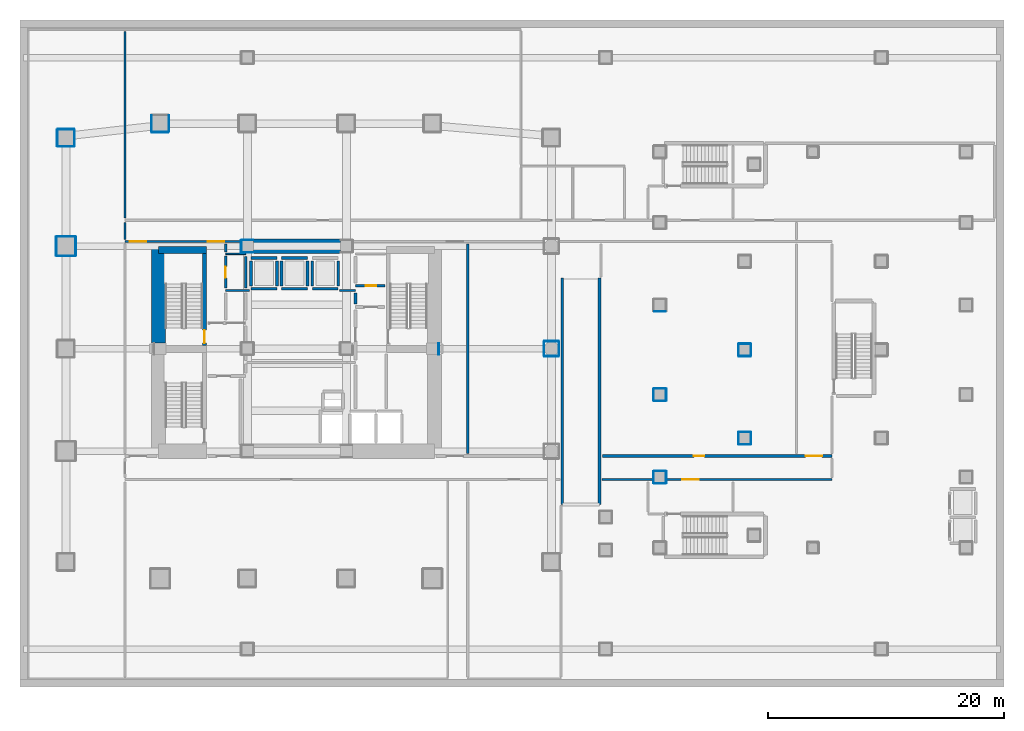
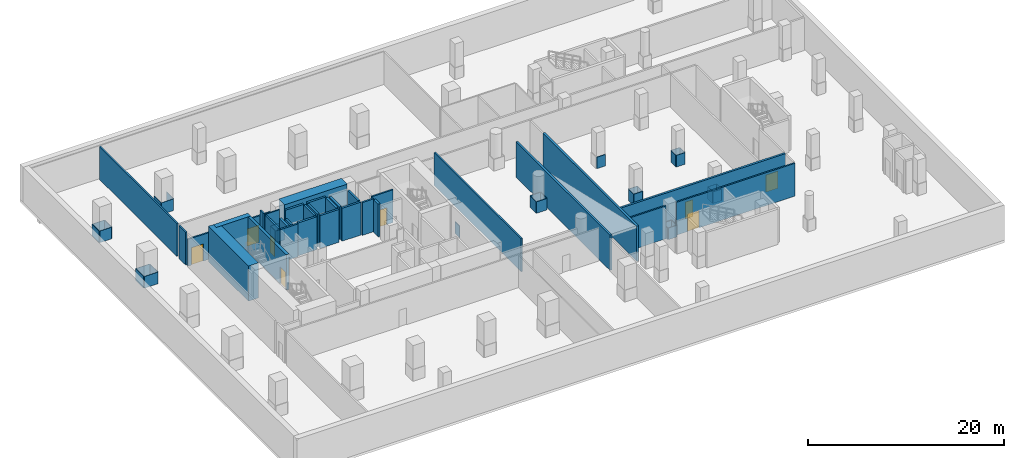
# One storey, part 6 of 15: 68 walls, 8 doors, 8 openings.
"""IFC4 building model written with IfcOpenShell, lengths in metres."""

from ifc_helpers import new_model, si_unit, direction, frame, frame_2d, origin, place, context, subcontext, project, spatial, rectangle, extrude, material, layer, layer_set, type_object, element, fill, save


model = new_model("IFC4")

# Units and contexts
model_context = context("Model", 3, precision=1e-05, world=origin(), true_north=direction((0.0, 1.0)))
body_context = subcontext(model_context, "Body", "Model", "MODEL_VIEW")
ifc_project = project(units=[si_unit("LENGTHUNIT", "METRE"), si_unit("AREAUNIT", "SQUARE_METRE"), si_unit("VOLUMEUNIT", "CUBIC_METRE"), si_unit("PLANEANGLEUNIT", "RADIAN"), si_unit("MASSUNIT", "GRAM", prefix="KILO")], contexts=[model_context])

# Site, building, storey
site_placement = place(None, origin())
site = spatial("IfcSite", under=ifc_project, at=site_placement, CompositionType="ELEMENT")
building_placement = place(site_placement, origin())
building = spatial("IfcBuilding", under=site, at=building_placement, Name="Solanera Arch Residences", CompositionType="ELEMENT")
storey_placement = place(building_placement, frame((0.0, 0.0, -8.800048828125)))
storey = spatial("IfcBuildingStorey", under=building, at=storey_placement, Name="B02", CompositionType="ELEMENT", Elevation=-8.800048828125)

# Walls
ifc_material_1 = material(Name="Fire-Rated Gypsum Stud Partition", Category="gypsum")
ifc_layer_1 = layer(ifc_material_1, 0.06005859375)
ifc_layer_set_1 = layer_set([ifc_layer_1], Name="Fire-Rated Gypsum Stud Partition")
wall_type_1 = type_object("IfcWallType", Name="Column Acoustic Furring Wall 60", PredefinedType="PARTITIONING", material=ifc_layer_set_1)
for number, where, z_axis, x_axis, name in (
    (1, (20.300048828125, 38.867919921875, 0.0), (0.0, 0.0, 1.0), (1.0, 0.0, 0.0), "B02 Column Furring 3S"),
    (2, (20.300048828125, 39.931884765625, 0.0), (0.0, 0.0, 1.0), (1.0, 0.0, 0.0), "B02 Column Furring 3N"),
):
    element("IfcWall", number, at=place(storey_placement, frame(where, z_axis=z_axis, x_axis=x_axis)), inside=storey, type_object=wall_type_1, Name=name, PredefinedType="PARTITIONING", context=body_context, shape_type="SweptSolid", body=[
        extrude(rectangle(XDim=0.989990234375, YDim=0.06005859375, at=frame_2d((0.4951171875, 0.0))), origin(), (0.0, 0.0, 1.0), 1.449951171875),
    ])
wall_1_placement = place(storey_placement, frame((20.26806640625, 38.89990234375, 0.0), z_axis=(0.0, 0.0, 1.0), x_axis=(0.0, 1.0, 0.0)))
element("IfcWall", 3, at=wall_1_placement, inside=storey, type_object=wall_type_1, Name="B02 Column Furring 3W", PredefinedType="PARTITIONING", context=body_context, shape_type="SweptSolid", body=[
    extrude(rectangle(XDim=1.0, YDim=0.06005859375, at=frame_2d((0.5, 0.0))), origin(), (0.0, 0.0, 1.0), 1.449951171875),
])
wall_2_placement = place(storey_placement, frame((37.031982421875, 30.2099609375, 0.0), z_axis=(0.0, 0.0, 1.0), x_axis=(0.0, 1.0, 0.0)))
element("IfcWall", 4, at=wall_2_placement, inside=storey, type_object=wall_type_1, Name="B02 Column Furring 6E", PredefinedType="PARTITIONING", context=body_context, shape_type="SweptSolid", body=[
    extrude(rectangle(XDim=0.97998046875, YDim=0.06005859375, at=frame_2d((0.489990234375, 0.0))), origin(), (0.0, 0.0, 1.0), 1.449951171875),
])
wall_3_placement = place(storey_placement, frame((12.699951171875, 49.068115234375, 0.0), z_axis=(0.0, 0.0, 1.0), x_axis=(1.0, 0.0, 0.0)))
element("IfcWall", 5, at=wall_3_placement, inside=storey, type_object=wall_type_1, Name="B02 Column Furring 11S", PredefinedType="PARTITIONING", context=body_context, shape_type="SweptSolid", body=[
    extrude(rectangle(XDim=1.400146484375, YDim=0.06005859375, at=frame_2d((0.7001953125, 0.0))), origin(), (0.0, 0.0, 1.0), 1.449951171875),
])
for number, where, z_axis, x_axis, name in (
    (6, (12.66796875, 49.10009765625, 0.0), (0.0, 0.0, 1.0), (0.0, 1.0, 0.0), "B02 Column Furring 11W"),
    (7, (14.132080078125, 49.10009765625, 0.0), (0.0, 0.0, 1.0), (0.0, 1.0, 0.0), "B02 Column Furring 11E"),
):
    element("IfcWall", number, at=place(storey_placement, frame(where, z_axis=z_axis, x_axis=x_axis)), inside=storey, type_object=wall_type_1, Name=name, PredefinedType="PARTITIONING", context=body_context, shape_type="SweptSolid", body=[
        extrude(rectangle(XDim=1.39990234375, YDim=0.06005859375, at=frame_2d((0.699951171875, 0.0))), origin(), (0.0, 0.0, 1.0), 1.449951171875),
    ])
for number, where, z_axis, x_axis, name in (
    (8, (4.60009765625, 38.568115234375, 0.0), (0.0, 0.0, 1.0), (1.0, 0.0, 0.0), "B02 Column Furring 17S"),
    (9, (4.60009765625, 40.23193359375, 0.0), (0.0, 0.0, 1.0), (1.0, 0.0, 0.0), "B02 Column Furring 17N"),
    (10, (4.568115234375, 38.60009765625, 0.0), (0.0, 0.0, 1.0), (0.0, 1.0, 0.0), "B02 Column Furring 17W"),
    (11, (6.23193359375, 38.60009765625, 0.0), (0.0, 0.0, 1.0), (0.0, 1.0, 0.0), "B02 Column Furring 17E"),
):
    element("IfcWall", number, at=place(storey_placement, frame(where, z_axis=z_axis, x_axis=x_axis)), inside=storey, type_object=wall_type_1, Name=name, PredefinedType="PARTITIONING", context=body_context, shape_type="SweptSolid", body=[
        extrude(rectangle(XDim=1.599853515625, YDim=0.06005859375, at=frame_2d((0.7998046875, 0.0))), origin(), (0.0, 0.0, 1.0), 1.449951171875),
    ])
for number, where, z_axis, x_axis, name in (
    (12, (46.0, 30.068115234375, 0.0), (0.0, 0.0, 1.0), (1.0, 0.0, 0.0), "B02 Column Furring 19S"),
    (13, (46.0, 31.33203125, 0.0), (0.0, 0.0, 1.0), (1.0, 0.0, 0.0), "B02 Column Furring 19N"),
    (14, (45.968017578125, 30.10009765625, 0.0), (0.0, 0.0, 1.0), (0.0, 1.0, 0.0), "B02 Column Furring 19W"),
    (15, (47.23193359375, 30.10009765625, 0.0), (0.0, 0.0, 1.0), (0.0, 1.0, 0.0), "B02 Column Furring 19E"),
):
    element("IfcWall", number, at=place(storey_placement, frame(where, z_axis=z_axis, x_axis=x_axis)), inside=storey, type_object=wall_type_1, Name=name, PredefinedType="PARTITIONING", context=body_context, shape_type="SweptSolid", body=[
        extrude(rectangle(XDim=1.199951171875, YDim=0.06005859375, at=frame_2d((0.60009765625, 0.0))), origin(), (0.0, 0.0, 1.0), 1.449951171875),
    ])
for number, where, z_axis, x_axis, name in (
    (16, (4.699951171875, 47.867919921875, 0.0), (0.0, 0.0, 1.0), (1.0, 0.0, 0.0), "B02 Column Furring 23S"),
    (17, (4.699951171875, 49.33203125, 0.0), (0.0, 0.0, 1.0), (1.0, 0.0, 0.0), "B02 Column Furring 23N"),
    (18, (4.66796875, 47.89990234375, 0.0), (0.0, 0.0, 1.0), (0.0, 1.0, 0.0), "B02 Column Furring 23W"),
    (19, (6.132080078125, 47.89990234375, 0.0), (0.0, 0.0, 1.0), (0.0, 1.0, 0.0), "B02 Column Furring 23E"),
):
    element("IfcWall", number, at=place(storey_placement, frame(where, z_axis=z_axis, x_axis=x_axis)), inside=storey, type_object=wall_type_1, Name=name, PredefinedType="PARTITIONING", context=body_context, shape_type="SweptSolid", body=[
        extrude(rectangle(XDim=1.400146484375, YDim=0.06005859375, at=frame_2d((0.7001953125, 0.0))), origin(), (0.0, 0.0, 1.0), 1.449951171875),
    ])
for number, where, z_axis, x_axis, name in (
    (20, (62.5, 22.568115234375, 0.0), (0.0, 0.0, 1.0), (1.0, 0.0, 0.0), "B02 Column Furring 27S"),
    (21, (62.5, 23.632080078125, 0.0), (0.0, 0.0, 1.0), (1.0, 0.0, 0.0), "B02 Column Furring 27N"),
    (22, (62.468017578125, 22.60009765625, 0.0), (0.0, 0.0, 1.0), (0.0, 1.0, 0.0), "B02 Column Furring 27W"),
    (23, (63.531982421875, 22.60009765625, 0.0), (0.0, 0.0, 1.0), (0.0, 1.0, 0.0), "B02 Column Furring 27E"),
    (24, (62.5, 30.068115234375, 0.0), (0.0, 0.0, 1.0), (1.0, 0.0, 0.0), "B02 Column Furring 29S"),
    (25, (62.5, 31.132080078125, 0.0), (0.0, 0.0, 1.0), (1.0, 0.0, 0.0), "B02 Column Furring 29N"),
    (26, (62.468017578125, 30.10009765625, 0.0), (0.0, 0.0, 1.0), (0.0, 1.0, 0.0), "B02 Column Furring 29W"),
    (27, (63.531982421875, 30.10009765625, 0.0), (0.0, 0.0, 1.0), (0.0, 1.0, 0.0), "B02 Column Furring 29E"),
    (28, (55.300048828125, 19.26806640625, 0.0), (0.0, 0.0, 1.0), (1.0, 0.0, 0.0), "B02 Column Furring 44S"),
    (29, (55.300048828125, 20.33203125, 0.0), (0.0, 0.0, 1.0), (1.0, 0.0, 0.0), "B02 Column Furring 44N"),
    (30, (55.26806640625, 19.300048828125, 0.0), (0.0, 0.0, 1.0), (0.0, 1.0, 0.0), "B02 Column Furring 44W"),
    (31, (56.33203125, 19.300048828125, 0.0), (0.0, 0.0, 1.0), (0.0, 1.0, 0.0), "B02 Column Furring 44E"),
    (32, (55.300048828125, 26.26806640625, 0.0), (0.0, 0.0, 1.0), (1.0, 0.0, 0.0), "B02 Column Furring 45S"),
    (33, (55.300048828125, 27.33203125, 0.0), (0.0, 0.0, 1.0), (1.0, 0.0, 0.0), "B02 Column Furring 45N"),
    (34, (55.26806640625, 26.300048828125, 0.0), (0.0, 0.0, 1.0), (0.0, 1.0, 0.0), "B02 Column Furring 45W"),
    (35, (56.33203125, 26.300048828125, 0.0), (0.0, 0.0, 1.0), (0.0, 1.0, 0.0), "B02 Column Furring 45E"),
    (36, (55.300048828125, 33.867919921875, 0.0), (0.0, 0.0, 1.0), (1.0, 0.0, 0.0), "B02 Column Furring 46S"),
):
    element("IfcWall", number, at=place(storey_placement, frame(where, z_axis=z_axis, x_axis=x_axis)), inside=storey, type_object=wall_type_1, Name=name, PredefinedType="PARTITIONING", context=body_context, shape_type="SweptSolid", body=[
        extrude(rectangle(XDim=1.0, YDim=0.06005859375, at=frame_2d((0.5, 0.0))), origin(), (0.0, 0.0, 1.0), 1.449951171875),
    ])
ifc_material_2 = material(Name="Concrete C55/67 (f'c = 60 MPa)", Category="concrete")
ifc_layer_2 = layer(ifc_material_2, 1.199951171875)
ifc_layer_set_2 = layer_set([ifc_layer_2], Name="Concrete C55/67 (f'c = 60 MPa)")
wall_type_2 = type_object("IfcWallType", Name="Core Shear Wall CW-1200", PredefinedType="SHEAR", material=ifc_layer_set_2)
wall_4_placement = place(storey_placement, frame((13.239990234375, 31.205078125, 0.0), z_axis=(0.0, 0.0, 1.0), x_axis=(0.0, 1.0, 0.0)))
element("IfcWall", 37, at=wall_4_placement, inside=storey, type_object=wall_type_2, Name="B02 West Core North Shear Wall", PredefinedType="SHEAR", context=body_context, shape_type="SweptSolid", body=[
    extrude(rectangle(XDim=8.19482421875, YDim=1.199951171875, at=frame_2d((4.097412109375, 0.0))), origin(), (0.0, 0.0, 1.0), 4.400146484375),
])
wall_5_placement = place(storey_placement, frame((21.304931640625, 39.39990234375, 0.0), z_axis=(0.0, 0.0, 1.0), x_axis=(1.0, 0.0, 0.0)))
element("IfcWall", 38, at=wall_5_placement, inside=storey, type_object=wall_type_2, Name="B02 Central North Core Shear Wall", PredefinedType="SHEAR", context=body_context, shape_type="SweptSolid", body=[
    extrude(rectangle(XDim=7.39013671875, YDim=1.199951171875, at=frame_2d((3.695068359375, 0.0))), origin(), (0.0, 0.0, 1.0), 4.400146484375),
])

# Wall, opening, door
ifc_material_3 = material(Name="Concrete C40/50 (f'c = 45 MPa)", Category="concrete")
ifc_layer_3 = layer(ifc_material_3, 0.320068359375)
ifc_layer_set_3 = layer_set([ifc_layer_3], Name="Concrete C40/50 (f'c = 45 MPa)")
wall_type_3 = type_object("IfcWallType", Name="Core Shear Wall CW-320", PredefinedType="SHEAR", material=ifc_layer_set_3)
wall_6_placement = place(storey_placement, frame((17.159912109375, 31.0, 0.0), z_axis=(0.0, 0.0, 1.0), x_axis=(0.0, 1.0, 0.0)))
wall_6 = element("IfcWall", 39, at=wall_6_placement, inside=storey, type_object=wall_type_3, Name="B02 Stair ST-T1 East Shear Wall", PredefinedType="SHEAR", context=body_context, shape_type="SweptSolid", body=[
    extrude(rectangle(XDim=7.800048828125, YDim=0.320068359375, at=frame_2d((3.89990234375, 0.0))), origin(), (0.0, 0.0, 1.0), 4.400146484375),
])
opening_1_placement = place(wall_6_placement, frame((0.18994140625, 0.0, 0.0)))
opening_1 = element("IfcOpeningElement", 40, at=opening_1_placement, cuts=wall_6, Name="Opening DF-01", PredefinedType="OPENING", context=body_context, shape_type="SweptSolid", body=[
    extrude(rectangle(XDim=1.10009765625, YDim=2.14990234375, at=frame_2d((0.550048828125, 1.074951171875))), frame((0.0, 0.169921875, 0.0), z_axis=(0.0, -1.0, 0.0), x_axis=(1.0, 0.0, 0.0)), (0.0, 0.0, 1.0), 0.3401),
])
ifc_material_4 = material(Name="Fire-Rated Architectural Hardwood", Category="wood")
door_type_1 = type_object("IfcDoorType", Name="Stair Exit Fire Door DF-01", OperationType="NOTDEFINED", PredefinedType="DOOR", material=ifc_material_4)
door_1_placement = place(opening_1_placement, origin())
door_1 = element("IfcDoor", 41, at=door_1_placement, inside=storey, type_object=door_type_1, Name="DR-B02-STAIR-ST-T1", OperationType="SINGLE_SWING_RIGHT", OverallHeight=2.14990234375, OverallWidth=1.10009765625, PredefinedType="DOOR", context=body_context, shape_type="SweptSolid", body=[
    extrude(rectangle(XDim=1.10009765625, YDim=2.14990234375, at=frame_2d((0.550048828125, 1.074951171875))), frame((0.0, 0.02490234375, 0.0), z_axis=(0.0, -1.0, 0.0), x_axis=(1.0, 0.0, 0.0)), (0.0, 0.0, 1.0), 0.050048828125),
])
fill(opening_1, door_1)

# Walls
ifc_material_5 = material(Name="Concrete C40/50 (f'c = 45 MPa)", Category="concrete")
ifc_layer_4 = layer(ifc_material_5, 0.60009765625)
ifc_layer_set_4 = layer_set([ifc_layer_4], Name="Concrete C40/50 (f'c = 45 MPa)")
wall_type_4 = type_object("IfcWallType", Name="Core Shear Wall CW-600", PredefinedType="SHEAR", material=ifc_layer_set_4)
wall_7_placement = place(storey_placement, frame((13.239990234375, 39.10009765625, 0.0), z_axis=(0.0, 0.0, 1.0), x_axis=(1.0, 0.0, 0.0)))
element("IfcWall", 42, at=wall_7_placement, inside=storey, type_object=wall_type_4, Name="B02 North-West Core Shear Wall", PredefinedType="SHEAR", context=body_context, shape_type="SweptSolid", body=[
    extrude(rectangle(XDim=4.080078125, YDim=0.60009765625, at=frame_2d((2.0400390625, 0.0))), origin(), (0.0, 0.0, 1.0), 4.400146484375),
])
ifc_material_6 = material(Name="Autoclaved Aerated Concrete Blockwork", Category="masonry")
ifc_layer_5 = layer(ifc_material_6, 0.179931640625)
ifc_layer_set_5 = layer_set([ifc_layer_5], Name="Autoclaved Aerated Concrete Blockwork")
wall_type_5 = type_object("IfcWallType", Name="Corridor Fire Partition 180", PredefinedType="PARTITIONING", material=ifc_layer_set_5)
wall_8_placement = place(storey_placement, frame((50.89794921875, 19.60009765625, 0.0), z_axis=(0.0, 0.0, 1.0), x_axis=(1.0, 0.0, 0.0)))
element("IfcWall", 43, at=wall_8_placement, inside=storey, type_object=wall_type_5, Name="B02 Interior Partition H12 1", PredefinedType="PARTITIONING", context=body_context, shape_type="SweptSolid", body=[
    extrude(rectangle(XDim=4.300048828125, YDim=0.179931640625, at=frame_2d((2.14990234375, 0.0))), origin(), (0.0, 0.0, 1.0), 4.10009765625),
])

# Wall, opening, door
wall_9_placement = place(storey_placement, frame((56.402099609375, 19.60009765625, 0.0), z_axis=(0.0, 0.0, 1.0), x_axis=(1.0, 0.0, 0.0)))
wall_9 = element("IfcWall", 44, at=wall_9_placement, inside=storey, type_object=wall_type_5, Name="B02 Interior Partition H12 2", PredefinedType="PARTITIONING", context=body_context, shape_type="SweptSolid", body=[
    extrude(rectangle(XDim=13.997802734375, YDim=0.179931640625, at=frame_2d((6.9990234375, 0.0))), origin(), (0.0, 0.0, 1.0), 4.10009765625),
])
opening_2_placement = place(wall_9_placement, frame((1.298095703125, 0.0, 0.0)))
opening_2 = element("IfcOpeningElement", 45, at=opening_2_placement, cuts=wall_9, Name="Opening DF-03", PredefinedType="OPENING", context=body_context, shape_type="SweptSolid", body=[
    extrude(rectangle(XDim=1.39990234375, YDim=2.14990234375, at=frame_2d((0.699951171875, 1.074951171875))), frame((0.0, 0.10009765625, 0.0), z_axis=(0.0, -1.0, 0.0), x_axis=(1.0, 0.0, 0.0)), (0.0, 0.0, 1.0), 0.1999),
])
ifc_material_7 = material(Name="Fire-Rated Architectural Hardwood", Category="wood")
door_type_2 = type_object("IfcDoorType", Name="Corridor Smoke Door DF-03", OperationType="NOTDEFINED", PredefinedType="DOOR", material=ifc_material_7)
door_2_placement = place(opening_2_placement, origin())
door_2 = element("IfcDoor", 46, at=door_2_placement, inside=storey, type_object=door_type_2, Name="DR-B02-IN-018", OperationType="SINGLE_SWING_LEFT", OverallHeight=2.14990234375, OverallWidth=1.39990234375, PredefinedType="DOOR", context=body_context, shape_type="SweptSolid", body=[
    extrude(rectangle(XDim=1.39990234375, YDim=2.14990234375, at=frame_2d((0.699951171875, 1.074951171875))), frame((0.0, 0.02490234375, 0.0), z_axis=(0.0, -1.0, 0.0), x_axis=(1.0, 0.0, 0.0)), (0.0, 0.0, 1.0), 0.050048828125),
])
fill(opening_2, door_2)

wall_10_placement = place(storey_placement, frame((29.97509765625, 36.050048828125, 0.0), z_axis=(0.0, 0.0, 1.0), x_axis=(1.0, 0.0, 0.0)))
wall_10 = element("IfcWall", 47, at=wall_10_placement, inside=storey, type_object=wall_type_5, Name="B02 Interior Partition H14", PredefinedType="PARTITIONING", context=body_context, shape_type="SweptSolid", body=[
    extrude(rectangle(XDim=2.5048828125, YDim=0.179931640625, at=frame_2d((1.25244140625, 0.0))), origin(), (0.0, 0.0, 1.0), 4.10009765625),
])
opening_3_placement = place(wall_10_placement, frame((0.85205078125, 0.0, 0.0)))
opening_3 = element("IfcOpeningElement", 48, at=opening_3_placement, cuts=wall_10, Name="Opening DI-02", PredefinedType="OPENING", context=body_context, shape_type="SweptSolid", body=[
    extrude(rectangle(XDim=0.89990234375, YDim=2.10009765625, at=frame_2d((0.449951171875, 1.050048828125))), frame((0.0, 0.10009765625, 0.0), z_axis=(0.0, -1.0, 0.0), x_axis=(1.0, 0.0, 0.0)), (0.0, 0.0, 1.0), 0.1999),
])
ifc_material_8 = material(Name="Fire-Rated Architectural Hardwood", Category="wood")
door_type_3 = type_object("IfcDoorType", Name="Suite Room Swing Door DI-02", OperationType="NOTDEFINED", PredefinedType="DOOR", material=ifc_material_8)
door_3_placement = place(opening_3_placement, origin())
door_3 = element("IfcDoor", 49, at=door_3_placement, inside=storey, type_object=door_type_3, Name="DR-B02-IN-023", OperationType="SINGLE_SWING_RIGHT", OverallHeight=2.10009765625, OverallWidth=0.89990234375, PredefinedType="DOOR", context=body_context, shape_type="SweptSolid", body=[
    extrude(rectangle(XDim=0.89990234375, YDim=2.10009765625, at=frame_2d((0.449951171875, 1.050048828125))), frame((0.0, 0.02490234375, 0.0), z_axis=(0.0, -1.0, 0.0), x_axis=(1.0, 0.0, 0.0)), (0.0, 0.0, 1.0), 0.050048828125),
])
fill(opening_3, door_3)

# Wall, openings, doors
wall_11_placement = place(storey_placement, frame((10.39990234375, 39.800048828125, 0.0), z_axis=(0.0, 0.0, 1.0), x_axis=(1.0, 0.0, 0.0)))
wall_11 = element("IfcWall", 50, at=wall_11_placement, inside=storey, type_object=wall_type_5, Name="B02 Interior Partition H15 1", PredefinedType="PARTITIONING", context=body_context, shape_type="SweptSolid", body=[
    extrude(rectangle(XDim=9.798095703125, YDim=0.179931640625, at=frame_2d((4.89892578125, 0.0))), origin(), (0.0, 0.0, 1.0), 3.3349609375),
])
opening_4_placement = place(wall_11_placement, frame((7.034912109375, 0.0, 0.0)))
opening_4 = element("IfcOpeningElement", 51, at=opening_4_placement, cuts=wall_11, Name="Opening DF-03", PredefinedType="OPENING", context=body_context, shape_type="SweptSolid", body=[
    extrude(rectangle(XDim=1.39990234375, YDim=2.14990234375, at=frame_2d((0.699951171875, 1.074951171875))), frame((0.0, 0.10009765625, 0.0), z_axis=(0.0, -1.0, 0.0), x_axis=(1.0, 0.0, 0.0)), (0.0, 0.0, 1.0), 0.1999),
])
opening_5_placement = place(wall_11_placement, frame((0.424072265625, 0.0, 0.0)))
opening_5 = element("IfcOpeningElement", 52, at=opening_5_placement, cuts=wall_11, Name="Opening DF-03", PredefinedType="OPENING", context=body_context, shape_type="SweptSolid", body=[
    extrude(rectangle(XDim=1.39990234375, YDim=2.14990234375, at=frame_2d((0.699951171875, 1.074951171875))), frame((0.0, 0.10009765625, 0.0), z_axis=(0.0, -1.0, 0.0), x_axis=(1.0, 0.0, 0.0)), (0.0, 0.0, 1.0), 0.1999),
])
door_4_placement = place(opening_4_placement, origin())
door_4 = element("IfcDoor", 53, at=door_4_placement, inside=storey, type_object=door_type_2, Name="DR-B02-IN-014", OperationType="SINGLE_SWING_LEFT", OverallHeight=2.14990234375, OverallWidth=1.39990234375, PredefinedType="DOOR", context=body_context, shape_type="SweptSolid", body=[
    extrude(rectangle(XDim=1.39990234375, YDim=2.14990234375, at=frame_2d((0.699951171875, 1.074951171875))), frame((0.0, 0.02490234375, 0.0), z_axis=(0.0, -1.0, 0.0), x_axis=(1.0, 0.0, 0.0)), (0.0, 0.0, 1.0), 0.050048828125),
])
fill(opening_4, door_4)
door_5_placement = place(opening_5_placement, origin())
door_5 = element("IfcDoor", 54, at=door_5_placement, inside=storey, type_object=door_type_2, Name="DR-B02-IN-019", OperationType="SINGLE_SWING_RIGHT", OverallHeight=2.14990234375, OverallWidth=1.39990234375, PredefinedType="DOOR", context=body_context, shape_type="SweptSolid", body=[
    extrude(rectangle(XDim=1.39990234375, YDim=2.14990234375, at=frame_2d((0.699951171875, 1.074951171875))), frame((0.0, 0.02490234375, 0.0), z_axis=(0.0, -1.0, 0.0), x_axis=(1.0, 0.0, 0.0)), (0.0, 0.0, 1.0), 0.050048828125),
])
fill(opening_5, door_5)

# Walls
wall_12_placement = place(storey_placement, frame((10.39990234375, 39.988037109375, 0.0), z_axis=(0.0, 0.0, 1.0), x_axis=(0.0, 1.0, 0.0)))
element("IfcWall", 55, at=wall_12_placement, inside=storey, type_object=wall_type_5, Name="B02 Interior Partition V10 4", PredefinedType="PARTITIONING", context=body_context, shape_type="SweptSolid", body=[
    extrude(rectangle(XDim=1.4140625, YDim=0.179931640625, at=frame_2d((0.70703125, 0.0))), origin(), (0.0, 0.0, 1.0), 4.10009765625),
])
wall_13_placement = place(storey_placement, frame((10.39990234375, 41.798095703125, 0.0), z_axis=(0.0, 0.0, 1.0), x_axis=(0.0, 1.0, 0.0)))
element("IfcWall", 56, at=wall_13_placement, inside=storey, type_object=wall_type_5, Name="B02 Interior Partition V10 5", PredefinedType="PARTITIONING", context=body_context, shape_type="SweptSolid", body=[
    extrude(rectangle(XDim=15.843994140625, YDim=0.179931640625, at=frame_2d((7.921875, 0.0))), origin(), (0.0, 0.0, 1.0), 4.10009765625),
])
wall_14_placement = place(storey_placement, frame((39.5, 21.818115234375, 0.0), z_axis=(0.0, 0.0, 1.0), x_axis=(0.0, 1.0, 0.0)))
element("IfcWall", 57, at=wall_14_placement, inside=storey, type_object=wall_type_5, Name="B02 Interior Partition V14", PredefinedType="PARTITIONING", context=body_context, shape_type="SweptSolid", body=[
    extrude(rectangle(XDim=17.7939453125, YDim=0.179931640625, at=frame_2d((8.89697265625, 0.0))), origin(), (0.0, 0.0, 1.0), 4.10009765625),
])
ifc_material_9 = material(Name="Autoclaved Aerated Concrete Blockwork", Category="masonry")
ifc_layer_6 = layer(ifc_material_9, 0.199951171875)
ifc_layer_set_6 = layer_set([ifc_layer_6], Name="Autoclaved Aerated Concrete Blockwork")
wall_type_6 = type_object("IfcWallType", Name="Party Wall Acoustic 200", PredefinedType="PARTITIONING", material=ifc_layer_set_6)
wall_15_placement = place(storey_placement, frame((18.949951171875, 35.64990234375, 0.0), z_axis=(0.0, 0.0, 1.0), x_axis=(1.0, 0.0, 0.0)))
element("IfcWall", 58, at=wall_15_placement, inside=storey, type_object=wall_type_6, Name="B02 Interior Partition H7 1", PredefinedType="PARTITIONING", context=body_context, shape_type="SweptSolid", body=[
    extrude(rectangle(XDim=2.046142578125, YDim=0.199951171875, at=frame_2d((1.02294921875, 0.0))), origin(), (0.0, 0.0, 1.0), 4.10009765625),
])
wall_16_placement = place(storey_placement, frame((28.60400390625, 35.64990234375, 0.0), z_axis=(0.0, 0.0, 1.0), x_axis=(1.0, 0.0, 0.0)))
element("IfcWall", 59, at=wall_16_placement, inside=storey, type_object=wall_type_6, Name="B02 Interior Partition H7 2", PredefinedType="PARTITIONING", context=body_context, shape_type="SweptSolid", body=[
    extrude(rectangle(XDim=1.37109375, YDim=0.199951171875, at=frame_2d((0.685546875, 0.0))), origin(), (0.0, 0.0, 1.0), 4.10009765625),
])

# Wall, opening, door
wall_17_placement = place(storey_placement, frame((18.949951171875, 35.85791015625, 0.0), z_axis=(0.0, 0.0, 1.0), x_axis=(0.0, 1.0, 0.0)))
wall_17 = element("IfcWall", 60, at=wall_17_placement, inside=storey, type_object=wall_type_6, Name="B02 Interior Partition V6 2", PredefinedType="PARTITIONING", context=body_context, shape_type="SweptSolid", body=[
    extrude(rectangle(XDim=2.714111328125, YDim=0.199951171875, at=frame_2d((1.35693359375, 0.0))), origin(), (0.0, 0.0, 1.0), 4.10009765625),
])
opening_6_placement = place(wall_17_placement, frame((0.866943359375, 0.0, 0.0)))
opening_6 = element("IfcOpeningElement", 61, at=opening_6_placement, cuts=wall_17, Name="Opening DI-04", PredefinedType="OPENING", context=body_context, shape_type="SweptSolid", body=[
    extrude(rectangle(XDim=0.949951171875, YDim=2.10009765625, at=frame_2d((0.47509765625, 1.050048828125))), frame((0.0, 0.110107421875, 0.0), z_axis=(0.0, -1.0, 0.0), x_axis=(1.0, 0.0, 0.0)), (0.0, 0.0, 1.0), 0.22),
])
ifc_material_10 = material(Name="Fire-Rated Architectural Hardwood", Category="wood")
door_type_4 = type_object("IfcDoorType", Name="Accessible Restroom Door DI-04", OperationType="NOTDEFINED", PredefinedType="DOOR", material=ifc_material_10)
door_6_placement = place(opening_6_placement, origin())
door_6 = element("IfcDoor", 62, at=door_6_placement, inside=storey, type_object=door_type_4, Name="DR-B02-IN-024", OperationType="SINGLE_SWING_LEFT", OverallHeight=2.10009765625, OverallWidth=0.949951171875, PredefinedType="DOOR", context=body_context, shape_type="SweptSolid", body=[
    extrude(rectangle(XDim=0.949951171875, YDim=2.10009765625, at=frame_2d((0.47509765625, 1.050048828125))), frame((0.0, 0.02490234375, 0.0), z_axis=(0.0, -1.0, 0.0), x_axis=(1.0, 0.0, 0.0)), (0.0, 0.0, 1.0), 0.050048828125),
])
fill(opening_6, door_6)

# Walls
wall_18_placement = place(storey_placement, frame((18.949951171875, 38.927978515625, 0.0), z_axis=(0.0, 0.0, 1.0), x_axis=(0.0, 1.0, 0.0)))
element("IfcWall", 63, at=wall_18_placement, inside=storey, type_object=wall_type_6, Name="B02 Interior Partition V6 3", PredefinedType="PARTITIONING", context=body_context, shape_type="SweptSolid", body=[
    extrude(rectangle(XDim=0.674072265625, YDim=0.199951171875, at=frame_2d((0.3369140625, 0.0))), origin(), (0.0, 0.0, 1.0), 4.10009765625),
])
ifc_material_11 = material(Name="Concrete C40/50 (f'c = 45 MPa)", Category="concrete")
ifc_layer_7 = layer(ifc_material_11, 0.239990234375)
ifc_layer_set_7 = layer_set([ifc_layer_7], Name="Concrete C40/50 (f'c = 45 MPa)")
wall_type_7 = type_object("IfcWallType", Name="Ramp Bearing Shear Wall RW-240", PredefinedType="SHEAR", material=ifc_layer_set_7)
for number, where, z_axis, x_axis, name in (
    (64, (47.52001953125, 17.5, 0.0), (0.0, 0.0, 1.0), (0.0, 1.0, 0.0), "B02 Vehicle Ramp West Bearing Wall"),
    (65, (50.679931640625, 17.5, 0.0), (0.0, 0.0, 1.0), (0.0, 1.0, 0.0), "B02 Vehicle Ramp East Bearing Wall"),
):
    element("IfcWall", number, at=place(storey_placement, frame(where, z_axis=z_axis, x_axis=x_axis)), inside=storey, type_object=wall_type_7, Name=name, PredefinedType="SHEAR", context=body_context, shape_type="SweptSolid", body=[
        extrude(rectangle(XDim=19.199951171875, YDim=0.239990234375, at=frame_2d((9.60009765625, 0.0))), origin(), (0.0, 0.0, 1.0), 4.400146484375),
    ])
ifc_material_12 = material(Name="Autoclaved Aerated Concrete Blockwork", Category="masonry")
ifc_layer_8 = layer(ifc_material_12, 0.239990234375)
ifc_layer_set_8 = layer_set([ifc_layer_8], Name="Autoclaved Aerated Concrete Blockwork")
wall_type_8 = type_object("IfcWallType", Name="Shaft Wall Fire-Rated 240", PredefinedType="PARTITIONING", material=ifc_layer_set_8)
for number, where, z_axis, x_axis, name in (
    (66, (21.10009765625, 35.800048828125, 0.0), (0.0, 0.0, 1.0), (1.0, 0.0, 0.0), "B02 Lift PL-L1 Hoistway Wall S"),
    (67, (21.10009765625, 38.39990234375, 0.0), (0.0, 0.0, 1.0), (1.0, 0.0, 0.0), "B02 Lift PL-L1 Hoistway Wall N"),
):
    element("IfcWall", number, at=place(storey_placement, frame(where, z_axis=z_axis, x_axis=x_axis)), inside=storey, type_object=wall_type_8, Name=name, PredefinedType="PARTITIONING", context=body_context, shape_type="SweptSolid", body=[
        extrude(rectangle(XDim=2.199951171875, YDim=0.239990234375, at=frame_2d((1.10009765625, 0.0))), origin(), (0.0, 0.0, 1.0), 4.10009765625),
    ])
wall_19_placement = place(storey_placement, frame((21.10009765625, 36.048095703125, 0.0), z_axis=(0.0, 0.0, 1.0), x_axis=(0.0, 1.0, 0.0)))
element("IfcWall", 68, at=wall_19_placement, inside=storey, type_object=wall_type_8, Name="B02 Lift PL-L1 Hoistway Wall W", PredefinedType="PARTITIONING", context=body_context, shape_type="SweptSolid", body=[
    extrude(rectangle(XDim=2.10400390625, YDim=0.239990234375, at=frame_2d((1.052001953125, 0.0))), origin(), (0.0, 0.0, 1.0), 3.135009765625),
])
wall_20_placement = place(storey_placement, frame((23.300048828125, 36.048095703125, 0.0), z_axis=(0.0, 0.0, 1.0), x_axis=(0.0, 1.0, 0.0)))
element("IfcWall", 69, at=wall_20_placement, inside=storey, type_object=wall_type_8, Name="B02 Lift PL-L1 Hoistway Wall E", PredefinedType="PARTITIONING", context=body_context, shape_type="SweptSolid", body=[
    extrude(rectangle(XDim=2.10400390625, YDim=0.239990234375, at=frame_2d((1.052001953125, 0.0))), origin(), (0.0, 0.0, 1.0), 4.10009765625),
])
for number, where, z_axis, x_axis, name in (
    (70, (23.699951171875, 35.800048828125, 0.0), (0.0, 0.0, 1.0), (1.0, 0.0, 0.0), "B02 Lift PL-L2 Hoistway Wall S"),
    (71, (23.699951171875, 38.39990234375, 0.0), (0.0, 0.0, 1.0), (1.0, 0.0, 0.0), "B02 Lift PL-L2 Hoistway Wall N"),
):
    element("IfcWall", number, at=place(storey_placement, frame(where, z_axis=z_axis, x_axis=x_axis)), inside=storey, type_object=wall_type_8, Name=name, PredefinedType="PARTITIONING", context=body_context, shape_type="SweptSolid", body=[
        extrude(rectangle(XDim=2.199951171875, YDim=0.239990234375, at=frame_2d((1.10009765625, 0.0))), origin(), (0.0, 0.0, 1.0), 4.10009765625),
    ])
for number, where, z_axis, x_axis, name in (
    (72, (23.699951171875, 36.048095703125, 0.0), (0.0, 0.0, 1.0), (0.0, 1.0, 0.0), "B02 Lift PL-L2 Hoistway Wall W"),
    (73, (25.89990234375, 36.048095703125, 0.0), (0.0, 0.0, 1.0), (0.0, 1.0, 0.0), "B02 Lift PL-L2 Hoistway Wall E"),
):
    element("IfcWall", number, at=place(storey_placement, frame(where, z_axis=z_axis, x_axis=x_axis)), inside=storey, type_object=wall_type_8, Name=name, PredefinedType="PARTITIONING", context=body_context, shape_type="SweptSolid", body=[
        extrude(rectangle(XDim=2.10400390625, YDim=0.239990234375, at=frame_2d((1.052001953125, 0.0))), origin(), (0.0, 0.0, 1.0), 4.10009765625),
    ])
wall_21_placement = place(storey_placement, frame((26.300048828125, 35.800048828125, 0.0), z_axis=(0.0, 0.0, 1.0), x_axis=(1.0, 0.0, 0.0)))
element("IfcWall", 74, at=wall_21_placement, inside=storey, type_object=wall_type_8, Name="B02 Lift PL-L3 Hoistway Wall S", PredefinedType="PARTITIONING", context=body_context, shape_type="SweptSolid", body=[
    extrude(rectangle(XDim=2.199951171875, YDim=0.239990234375, at=frame_2d((1.10009765625, 0.0))), origin(), (0.0, 0.0, 1.0), 4.10009765625),
])
for number, where, z_axis, x_axis, name in (
    (75, (26.300048828125, 36.048095703125, 0.0), (0.0, 0.0, 1.0), (0.0, 1.0, 0.0), "B02 Lift PL-L3 Hoistway Wall W"),
    (76, (28.5, 36.048095703125, 0.0), (0.0, 0.0, 1.0), (0.0, 1.0, 0.0), "B02 Lift PL-L3 Hoistway Wall E"),
):
    element("IfcWall", number, at=place(storey_placement, frame(where, z_axis=z_axis, x_axis=x_axis)), inside=storey, type_object=wall_type_8, Name=name, PredefinedType="PARTITIONING", context=body_context, shape_type="SweptSolid", body=[
        extrude(rectangle(XDim=2.10400390625, YDim=0.239990234375, at=frame_2d((1.052001953125, 0.0))), origin(), (0.0, 0.0, 1.0), 4.10009765625),
    ])

# Wall, openings, doors
wall_22_placement = place(storey_placement, frame((50.927978515625, 21.60009765625, 0.0), z_axis=(0.0, 0.0, 1.0), x_axis=(1.0, 0.0, 0.0)))
wall_22 = element("IfcWall", 77, at=wall_22_placement, inside=storey, type_object=wall_type_8, Name="B02 Interior Partition H2", PredefinedType="PARTITIONING", context=body_context, shape_type="SweptSolid", body=[
    extrude(rectangle(XDim=19.471923828125, YDim=0.239990234375, at=frame_2d((9.73583984375, 0.0))), origin(), (0.0, 0.0, 1.0), 4.10009765625),
])
opening_7_placement = place(wall_22_placement, frame((17.248046875, 0.0, 0.0)))
opening_7 = element("IfcOpeningElement", 78, at=opening_7_placement, cuts=wall_22, Name="Opening DF-03", PredefinedType="OPENING", context=body_context, shape_type="SweptSolid", body=[
    extrude(rectangle(XDim=1.39990234375, YDim=2.14990234375, at=frame_2d((0.699951171875, 1.074951171875))), frame((0.0, 0.1298828125, 0.0), z_axis=(0.0, -1.0, 0.0), x_axis=(1.0, 0.0, 0.0)), (0.0, 0.0, 1.0), 0.26),
])
opening_8_placement = place(wall_22_placement, frame((7.74609375, 0.0, 0.0)))
opening_8 = element("IfcOpeningElement", 79, at=opening_8_placement, cuts=wall_22, Name="Opening DI-02", PredefinedType="OPENING", context=body_context, shape_type="SweptSolid", body=[
    extrude(rectangle(XDim=0.89990234375, YDim=2.10009765625, at=frame_2d((0.449951171875, 1.050048828125))), frame((0.0, 0.1298828125, 0.0), z_axis=(0.0, -1.0, 0.0), x_axis=(1.0, 0.0, 0.0)), (0.0, 0.0, 1.0), 0.26),
])
door_7_placement = place(opening_7_placement, origin())
door_7 = element("IfcDoor", 80, at=door_7_placement, inside=storey, type_object=door_type_2, Name="DR-B02-IN-017", OperationType="SINGLE_SWING_RIGHT", OverallHeight=2.14990234375, OverallWidth=1.39990234375, PredefinedType="DOOR", context=body_context, shape_type="SweptSolid", body=[
    extrude(rectangle(XDim=1.39990234375, YDim=2.14990234375, at=frame_2d((0.699951171875, 1.074951171875))), frame((0.0, 0.02490234375, 0.0), z_axis=(0.0, -1.0, 0.0), x_axis=(1.0, 0.0, 0.0)), (0.0, 0.0, 1.0), 0.050048828125),
])
fill(opening_7, door_7)
door_8_placement = place(opening_8_placement, origin())
door_8 = element("IfcDoor", 81, at=door_8_placement, inside=storey, type_object=door_type_3, Name="DR-B02-IN-028", OperationType="SINGLE_SWING_LEFT", OverallHeight=2.10009765625, OverallWidth=0.89990234375, PredefinedType="DOOR", context=body_context, shape_type="SweptSolid", body=[
    extrude(rectangle(XDim=0.89990234375, YDim=2.10009765625, at=frame_2d((0.449951171875, 1.050048828125))), frame((0.0, 0.02490234375, 0.0), z_axis=(0.0, -1.0, 0.0), x_axis=(1.0, 0.0, 0.0)), (0.0, 0.0, 1.0), 0.050048828125),
])
fill(opening_8, door_8)

# Walls
wall_23_placement = place(storey_placement, frame((20.64990234375, 35.8779296875, 0.0), z_axis=(0.0, 0.0, 1.0), x_axis=(0.0, 1.0, 0.0)))
element("IfcWall", 82, at=wall_23_placement, inside=storey, type_object=wall_type_8, Name="B02 Interior Partition V3 5", PredefinedType="PARTITIONING", context=body_context, shape_type="SweptSolid", body=[
    extrude(rectangle(XDim=2.674072265625, YDim=0.239990234375, at=frame_2d((1.3369140625, 0.0))), origin(), (0.0, 0.0, 1.0), 3.135009765625),
])
wall_24_placement = place(storey_placement, frame((29.97509765625, 34.498046875, 0.0), z_axis=(0.0, 0.0, 1.0), x_axis=(0.0, 1.0, 0.0)))
element("IfcWall", 83, at=wall_24_placement, inside=storey, type_object=wall_type_8, Name="B02 Interior Partition V4 3", PredefinedType="PARTITIONING", context=body_context, shape_type="SweptSolid", body=[
    extrude(rectangle(XDim=0.924072265625, YDim=0.239990234375, at=frame_2d((0.4619140625, 0.0))), origin(), (0.0, 0.0, 1.0), 4.10009765625),
])
ifc_material_13 = material(Name="Autoclaved Aerated Concrete Blockwork", Category="masonry")
ifc_layer_9 = layer(ifc_material_13, 0.139892578125)
ifc_layer_set_9 = layer_set([ifc_layer_9], Name="Autoclaved Aerated Concrete Blockwork")
wall_type_9 = type_object("IfcWallType", Name="Wet-Room Partition 140", PredefinedType="PARTITIONING", material=ifc_layer_set_9)
wall_25_placement = place(storey_placement, frame((18.949951171875, 38.75, 0.0), z_axis=(0.0, 0.0, 1.0), x_axis=(1.0, 0.0, 0.0)))
element("IfcWall", 84, at=wall_25_placement, inside=storey, type_object=wall_type_9, Name="B02 Interior Partition H17", PredefinedType="PARTITIONING", context=body_context, shape_type="SweptSolid", body=[
    extrude(rectangle(XDim=1.699951171875, YDim=0.139892578125, at=frame_2d((0.85009765625, 0.0))), origin(), (0.0, 0.0, 1.0), 4.10009765625),
])

save(model, "model.ifc")
